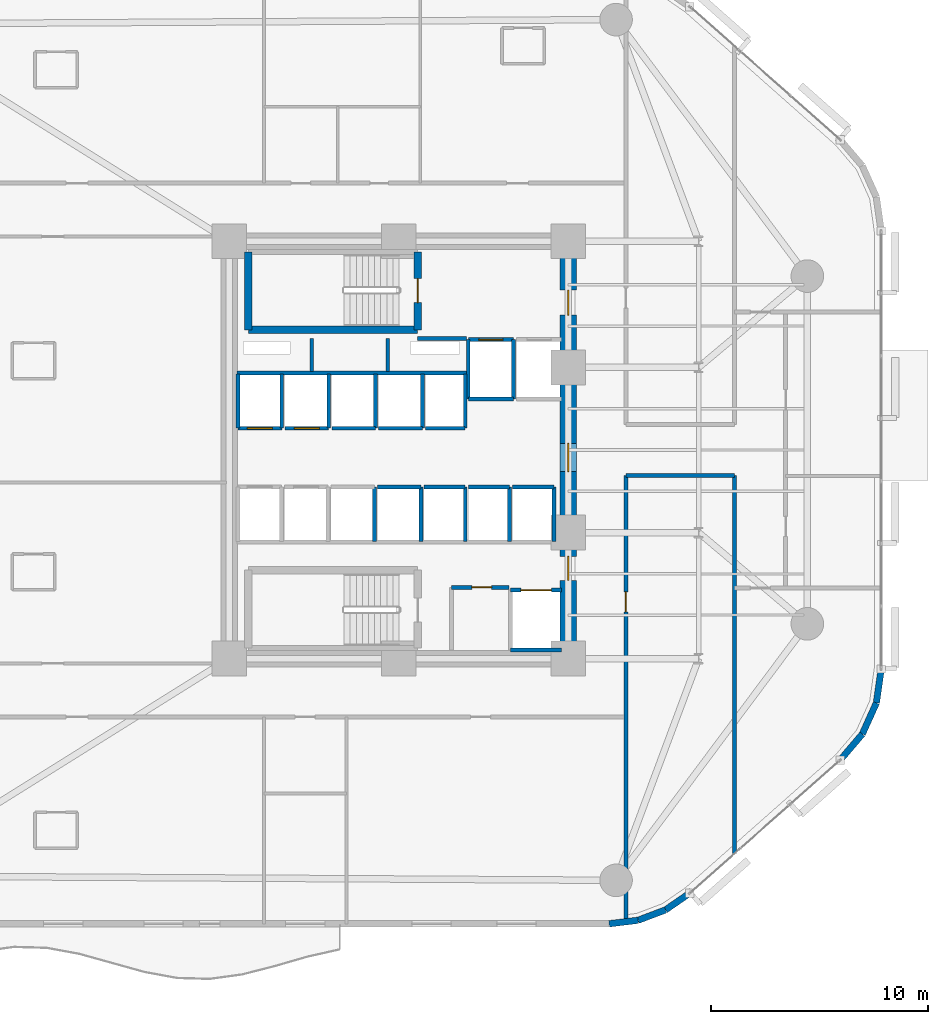
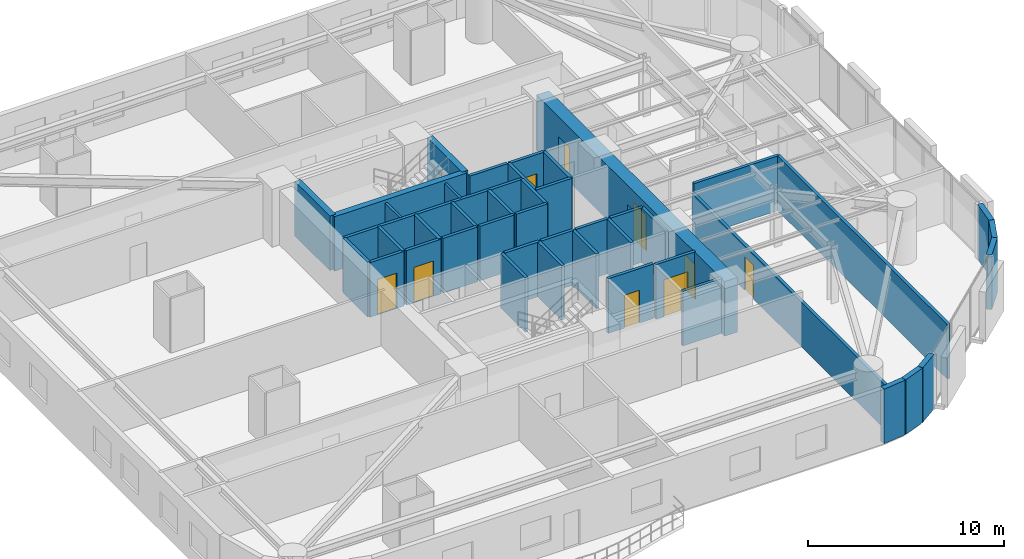
# One storey, part 11 of 16: 44 walls, 10 doors, 10 openings.
"""IFC4 building model written with IfcOpenShell, lengths in metres."""

from ifc_helpers import new_model, si_unit, direction, frame, frame_2d, origin, place, context, subcontext, project, spatial, rectangle, extrude, material, layer, layer_set, type_object, element, fill, save


model = new_model("IFC4")

# Units and contexts
model_context = context("Model", 3, precision=1e-05, world=origin(), true_north=direction((0.0, 1.0)))
body_context = subcontext(model_context, "Body", "Model", "MODEL_VIEW")
ifc_project = project(units=[si_unit("LENGTHUNIT", "METRE"), si_unit("AREAUNIT", "SQUARE_METRE"), si_unit("VOLUMEUNIT", "CUBIC_METRE"), si_unit("PLANEANGLEUNIT", "RADIAN"), si_unit("MASSUNIT", "GRAM", prefix="KILO")], contexts=[model_context])

# Site, building, storey
site_placement = place(None, origin())
site = spatial("IfcSite", under=ifc_project, at=site_placement, CompositionType="ELEMENT")
building_placement = place(site_placement, origin())
building = spatial("IfcBuilding", under=site, at=building_placement, Name="An Khanh Terracotta Commons", CompositionType="ELEMENT")
storey_placement = place(building_placement, frame((0.0, 0.0, 50.39990234375)))
storey = spatial("IfcBuildingStorey", under=building, at=storey_placement, Name="L13", CompositionType="ELEMENT", Elevation=50.39990234375)

# Wall, openings, doors
ifc_material_1 = material(Name="Concrete C70/85", Category="concrete")
ifc_layer_1 = layer(ifc_material_1, 0.75, Name="Concrete C70/85")
ifc_layer_set_1 = layer_set([ifc_layer_1], Name="Concrete C70/85")
wall_type_1 = type_object("IfcWallType", Name="WALL-CORE-750", PredefinedType="SHEAR", material=ifc_layer_set_1)
wall_1_placement = place(storey_placement, frame((37.199951171875, 14.39990234375, 0.0), z_axis=(0.0, 0.0, 1.0), x_axis=(0.0, 1.0, 0.0)))
wall_1 = element("IfcWall", 1, at=wall_1_placement, inside=storey, type_object=wall_type_1, Name="L13 Core Wall CWALL-L13-E", PredefinedType="SHEAR", context=body_context, shape_type="SweptSolid", body=[
    extrude(rectangle(XDim=19.2001953125, YDim=0.75, at=frame_2d((9.60009765625, 0.0))), origin(), (0.0, 0.0, 1.0), 3.400146484375),
])
opening_1_placement = place(wall_1_placement, frame((15.800048828125, 0.0, 0.0)))
opening_1 = element("IfcOpeningElement", 2, at=opening_1_placement, cuts=wall_1, Name="Opening D-FFL", PredefinedType="OPENING", context=body_context, shape_type="SweptSolid", body=[
    extrude(rectangle(XDim=1.14990234375, YDim=2.14990234375, at=frame_2d((0.574951171875, 1.074951171875))), frame((0.0, 0.385009765625, 0.0), z_axis=(0.0, -1.0, 0.0), x_axis=(1.0, 0.0, 0.0)), (0.0, 0.0, 1.0), 0.77001953125),
])
opening_2_placement = place(wall_1_placement, frame((3.60009765625, 0.0, 0.0)))
opening_2 = element("IfcOpeningElement", 3, at=opening_2_placement, cuts=wall_1, Name="Opening D-ST", PredefinedType="OPENING", context=body_context, shape_type="SweptSolid", body=[
    extrude(rectangle(XDim=1.10009765625, YDim=2.14990234375, at=frame_2d((0.550048828125, 1.074951171875))), frame((0.0, 0.385009765625, 0.0), z_axis=(0.0, -1.0, 0.0), x_axis=(1.0, 0.0, 0.0)), (0.0, 0.0, 1.0), 0.77001953125),
])
opening_3_placement = place(wall_1_placement, frame((8.60009765625, 0.0, 0.0)))
opening_3 = element("IfcOpeningElement", 4, at=opening_3_placement, cuts=wall_1, Name="Opening D-COR", PredefinedType="OPENING", context=body_context, shape_type="SweptSolid", body=[
    extrude(rectangle(XDim=1.300048828125, YDim=2.199951171875, at=frame_2d((0.64990234375, 1.10009765625))), frame((0.0, 0.385009765625, 0.0), z_axis=(0.0, -1.0, 0.0), x_axis=(1.0, 0.0, 0.0)), (0.0, 0.0, 1.0), 0.77001953125),
])
ifc_material_2 = material(Name="Fire-Rated Glazed Steel Double Door", Category="steel")
door_type_1 = type_object("IfcDoorType", Name="DOOR-CORR-1300", OperationType="NOTDEFINED", PredefinedType="DOOR", material=ifc_material_2)
door_1_placement = place(opening_3_placement, origin())
door_1 = element("IfcDoor", 5, at=door_1_placement, inside=storey, type_object=door_type_1, Name="L13 Passenger Lift Lobby Double Door", OperationType="DOUBLE_DOOR_SINGLE_SWING", OverallHeight=2.199951171875, OverallWidth=1.300048828125, PredefinedType="DOOR", context=body_context, shape_type="SweptSolid", body=[
    extrude(rectangle(XDim=1.300048828125, YDim=2.199951171875, at=frame_2d((0.64990234375, 1.10009765625))), frame((0.0, 0.02490234375, 0.0), z_axis=(0.0, -1.0, 0.0), x_axis=(1.0, 0.0, 0.0)), (0.0, 0.0, 1.0), 0.050048828125),
])
fill(opening_3, door_1)
ifc_material_3 = material(Name="Fire-Rated Steel Leaf and Vision Panel", Category="steel")
door_type_2 = type_object("IfcDoorType", Name="DOOR-FFL-1150", OperationType="NOTDEFINED", PredefinedType="DOOR", material=ifc_material_3)
door_2_placement = place(opening_1_placement, origin())
door_2 = element("IfcDoor", 6, at=door_2_placement, inside=storey, type_object=door_type_2, Name="L13 Firefighting Lift Lobby Fire Door", OperationType="SINGLE_SWING_LEFT", OverallHeight=2.14990234375, OverallWidth=1.14990234375, PredefinedType="DOOR", context=body_context, shape_type="SweptSolid", body=[
    extrude(rectangle(XDim=1.14990234375, YDim=2.14990234375, at=frame_2d((0.574951171875, 1.074951171875))), frame((0.0, 0.02490234375, 0.0), z_axis=(0.0, -1.0, 0.0), x_axis=(1.0, 0.0, 0.0)), (0.0, 0.0, 1.0), 0.050048828125),
])
fill(opening_1, door_2)
ifc_material_4 = material(Name="Fire-Rated Steel Leaf and Frame", Category="steel")
door_type_3 = type_object("IfcDoorType", Name="DOOR-STAIR-1100", OperationType="NOTDEFINED", PredefinedType="DOOR", material=ifc_material_4)
door_3_placement = place(opening_2_placement, origin())
door_3 = element("IfcDoor", 7, at=door_3_placement, inside=storey, type_object=door_type_3, Name="L13 South Stair Lobby Fire Door", OperationType="SINGLE_SWING_RIGHT", OverallHeight=2.14990234375, OverallWidth=1.10009765625, PredefinedType="DOOR", context=body_context, shape_type="SweptSolid", body=[
    extrude(rectangle(XDim=1.10009765625, YDim=2.14990234375, at=frame_2d((0.550048828125, 1.074951171875))), frame((0.0, 0.02490234375, 0.0), z_axis=(0.0, -1.0, 0.0), x_axis=(1.0, 0.0, 0.0)), (0.0, 0.0, 1.0), 0.050048828125),
])
fill(opening_2, door_3)

# Walls
ifc_material_5 = material(Name="Fire-Rated Gypsum Board on Steel Stud", Category="steel")
ifc_layer_2 = layer(ifc_material_5, 0.179931640625, Name="Fire-Rated Gypsum Board on Steel Stud")
ifc_layer_set_2 = layer_set([ifc_layer_2], Name="Fire-Rated Gypsum Board on Steel Stud")
wall_type_2 = type_object("IfcWallType", Name="WALL-CORR-180", PredefinedType="PARTITIONING", material=ifc_layer_set_2)
wall_2_placement = place(storey_placement, frame((30.27001953125, 29.1201171875, 0.0), z_axis=(0.0, 0.0, 1.0), x_axis=(1.0, 0.0, 0.0)))
element("IfcWall", 8, at=wall_2_placement, inside=storey, type_object=wall_type_2, Name="L13 Core Wall FFLW-L13-S", PredefinedType="PARTITIONING", context=body_context, shape_type="SweptSolid", body=[
    extrude(rectangle(XDim=2.239990234375, YDim=0.179931640625, at=frame_2d((1.1201171875, 0.0))), origin(), (0.0, 0.0, 1.0), 3.400146484375),
])
wall_3_placement = place(storey_placement, frame((21.949951171875, 27.5400390625, 0.0), z_axis=(0.0, 0.0, 1.0), x_axis=(1.0, 0.0, 0.0)))
element("IfcWall", 9, at=wall_3_placement, inside=storey, type_object=wall_type_2, Name="L13 Core Wall RSRW-L13-S", PredefinedType="PARTITIONING", context=body_context, shape_type="SweptSolid", body=[
    extrude(rectangle(XDim=10.56005859375, YDim=0.179931640625, at=frame_2d((5.280029296875, 0.0))), origin(), (0.0, 0.0, 1.0), 3.400146484375),
])

# Wall, opening, door
wall_4_placement = place(storey_placement, frame((31.820068359375, 17.679931640625, 0.0), z_axis=(0.0, 0.0, 1.0), x_axis=(1.0, 0.0, 0.0)))
wall_4 = element("IfcWall", 10, at=wall_4_placement, inside=storey, type_object=wall_type_2, Name="L13 Core Wall SSVCW-L13-N", PredefinedType="PARTITIONING", context=body_context, shape_type="SweptSolid", body=[
    extrude(rectangle(XDim=2.659912109375, YDim=0.179931640625, at=frame_2d((1.330078125, 0.0))), origin(), (0.0, 0.0, 1.0), 3.400146484375),
])
opening_4_placement = place(wall_4_placement, frame((0.949951171875, 0.0, 0.0)))
opening_4 = element("IfcOpeningElement", 11, at=opening_4_placement, cuts=wall_4, Name="Opening D-SV", PredefinedType="OPENING", context=body_context, shape_type="SweptSolid", body=[
    extrude(rectangle(XDim=0.89990234375, YDim=2.050048828125, at=frame_2d((0.449951171875, 1.02490234375))), frame((0.0, 0.099853515625, 0.0), z_axis=(0.0, -1.0, 0.0), x_axis=(1.0, 0.0, 0.0)), (0.0, 0.0, 1.0), 0.199951171875),
])
ifc_material_6 = material(Name="Fire-Rated Powder-Coated Steel Door", Category="steel")
door_type_4 = type_object("IfcDoorType", Name="DOOR-SERV-900", OperationType="NOTDEFINED", PredefinedType="DOOR", material=ifc_material_6)
door_4_placement = place(opening_4_placement, origin())
door_4 = element("IfcDoor", 12, at=door_4_placement, inside=storey, type_object=door_type_4, Name="L13 Core Housekeeping Store Door", OperationType="SINGLE_SWING_LEFT", OverallHeight=2.050048828125, OverallWidth=0.89990234375, PredefinedType="DOOR", context=body_context, shape_type="SweptSolid", body=[
    extrude(rectangle(XDim=0.89990234375, YDim=2.050048828125, at=frame_2d((0.449951171875, 1.02490234375))), frame((0.0, 0.02490234375, 0.0), z_axis=(0.0, -1.0, 0.0), x_axis=(1.0, 0.0, 0.0)), (0.0, 0.0, 1.0), 0.050048828125),
])
fill(opening_4, door_4)

wall_5_placement = place(storey_placement, frame((32.60009765625, 29.080078125, 0.0), z_axis=(0.0, 0.0, 1.0), x_axis=(1.0, 0.0, 0.0)))
wall_5 = element("IfcWall", 13, at=wall_5_placement, inside=storey, type_object=wall_type_2, Name="L13 Core Wall LSH-L13-FFL-01-N", PredefinedType="PARTITIONING", context=body_context, shape_type="SweptSolid", body=[
    extrude(rectangle(XDim=2.079833984375, YDim=0.179931640625, at=frame_2d((1.0400390625, 0.0))), origin(), (0.0, 0.0, 1.0), 3.400146484375),
])
opening_5_placement = place(wall_5_placement, frame((0.489990234375, 0.0, 0.0)))
opening_5 = element("IfcOpeningElement", 14, at=opening_5_placement, cuts=wall_5, Name="Opening LD-FFL-01-L13", PredefinedType="OPENING", context=body_context, shape_type="SweptSolid", body=[
    extrude(rectangle(XDim=1.10009765625, YDim=2.199951171875, at=frame_2d((0.550048828125, 1.10009765625))), frame((0.0, 0.099853515625, 0.0), z_axis=(0.0, -1.0, 0.0), x_axis=(1.0, 0.0, 0.0)), (0.0, 0.0, 1.0), 0.199951171875),
])
ifc_material_7 = material(Name="Brushed Stainless Steel Fire Landing Door", Category="steel")
door_type_5 = type_object("IfcDoorType", Name="DOOR-LD-FFL-1100", OperationType="NOTDEFINED", PredefinedType="DOOR", material=ifc_material_7)
door_5_placement = place(opening_5_placement, origin())
door_5 = element("IfcDoor", 15, at=door_5_placement, inside=storey, type_object=door_type_5, Name="L13 Lift FFL-01 Sliding Landing Door", OperationType="DOUBLE_DOOR_SLIDING", OverallHeight=2.199951171875, OverallWidth=1.10009765625, PredefinedType="DOOR", context=body_context, shape_type="SweptSolid", body=[
    extrude(rectangle(XDim=1.10009765625, YDim=2.199951171875, at=frame_2d((0.550048828125, 1.10009765625))), frame((0.0, 0.02490234375, 0.0), z_axis=(0.0, -1.0, 0.0), x_axis=(1.0, 0.0, 0.0)), (0.0, 0.0, 1.0), 0.050048828125),
])
fill(opening_5, door_5)

# Walls
wall_6_placement = place(storey_placement, frame((34.679931640625, 26.35009765625, 0.0), z_axis=(0.0, 0.0, 1.0), x_axis=(-1.0, 0.0, 0.0)))
element("IfcWall", 16, at=wall_6_placement, inside=storey, type_object=wall_type_2, Name="L13 Core Wall LSH-L13-FFL-01-S", PredefinedType="PARTITIONING", context=body_context, shape_type="SweptSolid", body=[
    extrude(rectangle(XDim=2.079833984375, YDim=0.179931640625, at=frame_2d((1.0400390625, 0.0))), origin(), (0.0, 0.0, 1.0), 3.400146484375),
])
for number, where, z_axis, x_axis, name in (
    (17, (34.679931640625, 26.35009765625, 0.0), (0.0, 0.0, 1.0), (0.0, 1.0, 0.0), "L13 Core Wall LSH-L13-FFL-01-E"),
    (18, (32.60009765625, 29.080078125, 0.0), (0.0, 0.0, 1.0), (0.0, -1.0, 0.0), "L13 Core Wall LSH-L13-FFL-01-W"),
):
    element("IfcWall", number, at=place(storey_placement, frame(where, z_axis=z_axis, x_axis=x_axis)), inside=storey, type_object=wall_type_2, Name=name, PredefinedType="PARTITIONING", context=body_context, shape_type="SweptSolid", body=[
        extrude(rectangle(XDim=2.72998046875, YDim=0.179931640625, at=frame_2d((1.364990234375, 0.0))), origin(), (0.0, 0.0, 1.0), 3.400146484375),
    ])

# Wall, opening, door
wall_7_placement = place(storey_placement, frame((34.550048828125, 17.550048828125, 0.0), z_axis=(0.0, 0.0, 1.0), x_axis=(1.0, 0.0, 0.0)))
wall_7 = element("IfcWall", 19, at=wall_7_placement, inside=storey, type_object=wall_type_2, Name="L13 Core Wall LSH-L13-SVL-01-N", PredefinedType="PARTITIONING", context=body_context, shape_type="SweptSolid", body=[
    extrude(rectangle(XDim=2.349853515625, YDim=0.179931640625, at=frame_2d((1.1748046875, 0.0))), origin(), (0.0, 0.0, 1.0), 3.400146484375),
])
opening_6_placement = place(wall_7_placement, frame((0.47509765625, 0.0, 0.0)))
opening_6 = element("IfcOpeningElement", 20, at=opening_6_placement, cuts=wall_7, Name="Opening LD-SVL-01-L13", PredefinedType="OPENING", context=body_context, shape_type="SweptSolid", body=[
    extrude(rectangle(XDim=1.39990234375, YDim=2.300048828125, at=frame_2d((0.699951171875, 1.14990234375))), frame((0.0, 0.099853515625, 0.0), z_axis=(0.0, -1.0, 0.0), x_axis=(1.0, 0.0, 0.0)), (0.0, 0.0, 1.0), 0.199951171875),
])
ifc_material_8 = material(Name="Heavy-Duty Stainless Steel Goods Landing Door", Category="steel")
door_type_6 = type_object("IfcDoorType", Name="DOOR-LD-SVL-1400", OperationType="NOTDEFINED", PredefinedType="DOOR", material=ifc_material_8)
door_6_placement = place(opening_6_placement, origin())
door_6 = element("IfcDoor", 21, at=door_6_placement, inside=storey, type_object=door_type_6, Name="L13 Lift SVL-01 Sliding Landing Door", OperationType="DOUBLE_DOOR_SLIDING", OverallHeight=2.300048828125, OverallWidth=1.39990234375, PredefinedType="DOOR", context=body_context, shape_type="SweptSolid", body=[
    extrude(rectangle(XDim=1.39990234375, YDim=2.300048828125, at=frame_2d((0.699951171875, 1.14990234375))), frame((0.0, 0.02490234375, 0.0), z_axis=(0.0, -1.0, 0.0), x_axis=(1.0, 0.0, 0.0)), (0.0, 0.0, 1.0), 0.050048828125),
])
fill(opening_6, door_6)

# Wall
wall_8_placement = place(storey_placement, frame((36.89990234375, 14.800048828125, 0.0), z_axis=(0.0, 0.0, 1.0), x_axis=(-1.0, 0.0, 0.0)))
element("IfcWall", 22, at=wall_8_placement, inside=storey, type_object=wall_type_2, Name="L13 Core Wall LSH-L13-SVL-01-S", PredefinedType="PARTITIONING", context=body_context, shape_type="SweptSolid", body=[
    extrude(rectangle(XDim=2.349853515625, YDim=0.179931640625, at=frame_2d((1.1748046875, 0.0))), origin(), (0.0, 0.0, 1.0), 3.400146484375),
])

# Wall, opening, door
wall_9_placement = place(storey_placement, frame((24.02001953125, 25.0, 0.0), z_axis=(0.0, 0.0, 1.0), x_axis=(-1.0, 0.0, 0.0)))
wall_9 = element("IfcWall", 23, at=wall_9_placement, inside=storey, type_object=wall_type_2, Name="L13 Core Wall LSH-L13-PL-L1-S", PredefinedType="PARTITIONING", context=body_context, shape_type="SweptSolid", body=[
    extrude(rectangle(XDim=2.02001953125, YDim=0.179931640625, at=frame_2d((1.010009765625, 0.0))), origin(), (0.0, 0.0, 1.0), 3.400146484375),
])
opening_7_placement = place(wall_9_placement, frame((0.43505859375, 0.0, 0.0)))
opening_7 = element("IfcOpeningElement", 24, at=opening_7_placement, cuts=wall_9, Name="Opening LD-PL-L1-L13", PredefinedType="OPENING", context=body_context, shape_type="SweptSolid", body=[
    extrude(rectangle(XDim=1.14990234375, YDim=2.199951171875, at=frame_2d((0.574951171875, 1.10009765625))), frame((0.0, 0.099853515625, 0.0), z_axis=(0.0, -1.0, 0.0), x_axis=(1.0, 0.0, 0.0)), (0.0, 0.0, 1.0), 0.199951171875),
])
ifc_material_9 = material(Name="Brushed Stainless Steel Passenger Landing Door", Category="steel")
door_type_7 = type_object("IfcDoorType", Name="DOOR-LD-PAX-1150", OperationType="NOTDEFINED", PredefinedType="DOOR", material=ifc_material_9)
door_7_placement = place(opening_7_placement, origin())
door_7 = element("IfcDoor", 25, at=door_7_placement, inside=storey, type_object=door_type_7, Name="L13 Lift PL-L1 Sliding Landing Door", OperationType="DOUBLE_DOOR_SLIDING", OverallHeight=2.199951171875, OverallWidth=1.14990234375, PredefinedType="DOOR", context=body_context, shape_type="SweptSolid", body=[
    extrude(rectangle(XDim=1.14990234375, YDim=2.199951171875, at=frame_2d((0.574951171875, 1.10009765625))), frame((0.0, 0.02490234375, 0.0), z_axis=(0.0, -1.0, 0.0), x_axis=(1.0, 0.0, 0.0)), (0.0, 0.0, 1.0), 0.050048828125),
])
fill(opening_7, door_7)

# Walls
for number, where, z_axis, x_axis, name in (
    (26, (24.02001953125, 25.0, 0.0), (0.0, 0.0, 1.0), (0.0, 1.0, 0.0), "L13 Core Wall LSH-L13-PL-L1-E"),
    (27, (22.0, 27.5, 0.0), (0.0, 0.0, 1.0), (0.0, -1.0, 0.0), "L13 Core Wall LSH-L13-PL-L1-W"),
):
    element("IfcWall", number, at=place(storey_placement, frame(where, z_axis=z_axis, x_axis=x_axis)), inside=storey, type_object=wall_type_2, Name=name, PredefinedType="PARTITIONING", context=body_context, shape_type="SweptSolid", body=[
        extrude(rectangle(XDim=2.5, YDim=0.179931640625, at=frame_2d((1.25, 0.0))), origin(), (0.0, 0.0, 1.0), 3.400146484375),
    ])

# Wall, opening, door
wall_10_placement = place(storey_placement, frame((26.179931640625, 25.0, 0.0), z_axis=(0.0, 0.0, 1.0), x_axis=(-1.0, 0.0, 0.0)))
wall_10 = element("IfcWall", 28, at=wall_10_placement, inside=storey, type_object=wall_type_2, Name="L13 Core Wall LSH-L13-PL-L2-S", PredefinedType="PARTITIONING", context=body_context, shape_type="SweptSolid", body=[
    extrude(rectangle(XDim=2.02001953125, YDim=0.179931640625, at=frame_2d((1.010009765625, 0.0))), origin(), (0.0, 0.0, 1.0), 3.400146484375),
])
opening_8_placement = place(wall_10_placement, frame((0.43505859375, 0.0, 0.0)))
opening_8 = element("IfcOpeningElement", 29, at=opening_8_placement, cuts=wall_10, Name="Opening LD-PL-L2-L13", PredefinedType="OPENING", context=body_context, shape_type="SweptSolid", body=[
    extrude(rectangle(XDim=1.14990234375, YDim=2.199951171875, at=frame_2d((0.574951171875, 1.10009765625))), frame((0.0, 0.099853515625, 0.0), z_axis=(0.0, -1.0, 0.0), x_axis=(1.0, 0.0, 0.0)), (0.0, 0.0, 1.0), 0.199951171875),
])
door_8_placement = place(opening_8_placement, origin())
door_8 = element("IfcDoor", 30, at=door_8_placement, inside=storey, type_object=door_type_7, Name="L13 Lift PL-L2 Sliding Landing Door", OperationType="DOUBLE_DOOR_SLIDING", OverallHeight=2.199951171875, OverallWidth=1.14990234375, PredefinedType="DOOR", context=body_context, shape_type="SweptSolid", body=[
    extrude(rectangle(XDim=1.14990234375, YDim=2.199951171875, at=frame_2d((0.574951171875, 1.10009765625))), frame((0.0, 0.02490234375, 0.0), z_axis=(0.0, -1.0, 0.0), x_axis=(1.0, 0.0, 0.0)), (0.0, 0.0, 1.0), 0.050048828125),
])
fill(opening_8, door_8)

# Walls
wall_11_placement = place(storey_placement, frame((26.179931640625, 25.0, 0.0), z_axis=(0.0, 0.0, 1.0), x_axis=(0.0, 1.0, 0.0)))
element("IfcWall", 31, at=wall_11_placement, inside=storey, type_object=wall_type_2, Name="L13 Core Wall LSH-L13-PL-L2-E", PredefinedType="PARTITIONING", context=body_context, shape_type="SweptSolid", body=[
    extrude(rectangle(XDim=2.5, YDim=0.179931640625, at=frame_2d((1.25, 0.0))), origin(), (0.0, 0.0, 1.0), 3.400146484375),
])
wall_12_placement = place(storey_placement, frame((28.340087890625, 25.0, 0.0), z_axis=(0.0, 0.0, 1.0), x_axis=(-1.0, 0.0, 0.0)))
element("IfcWall", 32, at=wall_12_placement, inside=storey, type_object=wall_type_2, Name="L13 Core Wall LSH-L13-PL-M1-S", PredefinedType="PARTITIONING", context=body_context, shape_type="SweptSolid", body=[
    extrude(rectangle(XDim=2.02001953125, YDim=0.179931640625, at=frame_2d((1.010009765625, 0.0))), origin(), (0.0, 0.0, 1.0), 3.400146484375),
])
wall_13_placement = place(storey_placement, frame((28.340087890625, 25.0, 0.0), z_axis=(0.0, 0.0, 1.0), x_axis=(0.0, 1.0, 0.0)))
element("IfcWall", 33, at=wall_13_placement, inside=storey, type_object=wall_type_2, Name="L13 Core Wall LSH-L13-PL-M1-E", PredefinedType="PARTITIONING", context=body_context, shape_type="SweptSolid", body=[
    extrude(rectangle(XDim=2.5, YDim=0.179931640625, at=frame_2d((1.25, 0.0))), origin(), (0.0, 0.0, 1.0), 3.400146484375),
])
wall_14_placement = place(storey_placement, frame((30.5, 25.0, 0.0), z_axis=(0.0, 0.0, 1.0), x_axis=(-1.0, 0.0, 0.0)))
element("IfcWall", 34, at=wall_14_placement, inside=storey, type_object=wall_type_2, Name="L13 Core Wall LSH-L13-PL-M2-S", PredefinedType="PARTITIONING", context=body_context, shape_type="SweptSolid", body=[
    extrude(rectangle(XDim=2.02001953125, YDim=0.179931640625, at=frame_2d((1.010009765625, 0.0))), origin(), (0.0, 0.0, 1.0), 3.400146484375),
])
for number, where, z_axis, x_axis, name in (
    (35, (30.5, 25.0, 0.0), (0.0, 0.0, 1.0), (0.0, 1.0, 0.0), "L13 Core Wall LSH-L13-PL-M2-E"),
    (36, (28.280029296875, 19.800048828125, 0.0), (0.0, 0.0, 1.0), (0.0, 1.0, 0.0), "L13 Core Wall LSH-L13-PL-M3-E"),
):
    element("IfcWall", number, at=place(storey_placement, frame(where, z_axis=z_axis, x_axis=x_axis)), inside=storey, type_object=wall_type_2, Name=name, PredefinedType="PARTITIONING", context=body_context, shape_type="SweptSolid", body=[
        extrude(rectangle(XDim=2.5, YDim=0.179931640625, at=frame_2d((1.25, 0.0))), origin(), (0.0, 0.0, 1.0), 3.400146484375),
    ])
wall_15_placement = place(storey_placement, frame((28.419921875, 22.300048828125, 0.0), z_axis=(0.0, 0.0, 1.0), x_axis=(1.0, 0.0, 0.0)))
element("IfcWall", 37, at=wall_15_placement, inside=storey, type_object=wall_type_2, Name="L13 Core Wall LSH-L13-PL-M4-N", PredefinedType="PARTITIONING", context=body_context, shape_type="SweptSolid", body=[
    extrude(rectangle(XDim=2.0, YDim=0.179931640625, at=frame_2d((1.0, 0.0))), origin(), (0.0, 0.0, 1.0), 3.400146484375),
])
wall_16_placement = place(storey_placement, frame((30.419921875, 19.800048828125, 0.0), z_axis=(0.0, 0.0, 1.0), x_axis=(0.0, 1.0, 0.0)))
element("IfcWall", 38, at=wall_16_placement, inside=storey, type_object=wall_type_2, Name="L13 Core Wall LSH-L13-PL-M4-E", PredefinedType="PARTITIONING", context=body_context, shape_type="SweptSolid", body=[
    extrude(rectangle(XDim=2.5, YDim=0.179931640625, at=frame_2d((1.25, 0.0))), origin(), (0.0, 0.0, 1.0), 3.400146484375),
])
wall_17_placement = place(storey_placement, frame((32.4599609375, 25.0, 0.0), z_axis=(0.0, 0.0, 1.0), x_axis=(-1.0, 0.0, 0.0)))
element("IfcWall", 39, at=wall_17_placement, inside=storey, type_object=wall_type_2, Name="L13 Core Wall LSH-L13-PL-H1-S", PredefinedType="PARTITIONING", context=body_context, shape_type="SweptSolid", body=[
    extrude(rectangle(XDim=1.820068359375, YDim=0.179931640625, at=frame_2d((0.91015625, 0.0))), origin(), (0.0, 0.0, 1.0), 3.400146484375),
])
wall_18_placement = place(storey_placement, frame((32.4599609375, 25.0, 0.0), z_axis=(0.0, 0.0, 1.0), x_axis=(0.0, 1.0, 0.0)))
element("IfcWall", 40, at=wall_18_placement, inside=storey, type_object=wall_type_2, Name="L13 Core Wall LSH-L13-PL-H1-E", PredefinedType="PARTITIONING", context=body_context, shape_type="SweptSolid", body=[
    extrude(rectangle(XDim=2.5, YDim=0.179931640625, at=frame_2d((1.25, 0.0))), origin(), (0.0, 0.0, 1.0), 3.400146484375),
])
wall_19_placement = place(storey_placement, frame((30.56005859375, 22.300048828125, 0.0), z_axis=(0.0, 0.0, 1.0), x_axis=(1.0, 0.0, 0.0)))
element("IfcWall", 41, at=wall_19_placement, inside=storey, type_object=wall_type_2, Name="L13 Core Wall LSH-L13-PL-H2-N", PredefinedType="PARTITIONING", context=body_context, shape_type="SweptSolid", body=[
    extrude(rectangle(XDim=1.89990234375, YDim=0.179931640625, at=frame_2d((0.949951171875, 0.0))), origin(), (0.0, 0.0, 1.0), 3.400146484375),
])
wall_20_placement = place(storey_placement, frame((32.4599609375, 19.800048828125, 0.0), z_axis=(0.0, 0.0, 1.0), x_axis=(0.0, 1.0, 0.0)))
element("IfcWall", 42, at=wall_20_placement, inside=storey, type_object=wall_type_2, Name="L13 Core Wall LSH-L13-PL-H2-E", PredefinedType="PARTITIONING", context=body_context, shape_type="SweptSolid", body=[
    extrude(rectangle(XDim=2.5, YDim=0.179931640625, at=frame_2d((1.25, 0.0))), origin(), (0.0, 0.0, 1.0), 3.400146484375),
])
wall_21_placement = place(storey_placement, frame((32.60009765625, 22.300048828125, 0.0), z_axis=(0.0, 0.0, 1.0), x_axis=(1.0, 0.0, 0.0)))
element("IfcWall", 43, at=wall_21_placement, inside=storey, type_object=wall_type_2, Name="L13 Core Wall LSH-L13-PL-H3-N", PredefinedType="PARTITIONING", context=body_context, shape_type="SweptSolid", body=[
    extrude(rectangle(XDim=1.89990234375, YDim=0.179931640625, at=frame_2d((0.949951171875, 0.0))), origin(), (0.0, 0.0, 1.0), 3.400146484375),
])
wall_22_placement = place(storey_placement, frame((34.5, 19.800048828125, 0.0), z_axis=(0.0, 0.0, 1.0), x_axis=(0.0, 1.0, 0.0)))
element("IfcWall", 44, at=wall_22_placement, inside=storey, type_object=wall_type_2, Name="L13 Core Wall LSH-L13-PL-H3-E", PredefinedType="PARTITIONING", context=body_context, shape_type="SweptSolid", body=[
    extrude(rectangle(XDim=2.5, YDim=0.179931640625, at=frame_2d((1.25, 0.0))), origin(), (0.0, 0.0, 1.0), 3.400146484375),
])
wall_23_placement = place(storey_placement, frame((34.639892578125, 22.300048828125, 0.0), z_axis=(0.0, 0.0, 1.0), x_axis=(1.0, 0.0, 0.0)))
element("IfcWall", 45, at=wall_23_placement, inside=storey, type_object=wall_type_2, Name="L13 Core Wall LSH-L13-PL-H4-N", PredefinedType="PARTITIONING", context=body_context, shape_type="SweptSolid", body=[
    extrude(rectangle(XDim=1.900146484375, YDim=0.179931640625, at=frame_2d((0.9501953125, 0.0))), origin(), (0.0, 0.0, 1.0), 3.400146484375),
])
wall_24_placement = place(storey_placement, frame((36.5400390625, 19.800048828125, 0.0), z_axis=(0.0, 0.0, 1.0), x_axis=(0.0, 1.0, 0.0)))
element("IfcWall", 46, at=wall_24_placement, inside=storey, type_object=wall_type_2, Name="L13 Core Wall LSH-L13-PL-H4-E", PredefinedType="PARTITIONING", context=body_context, shape_type="SweptSolid", body=[
    extrude(rectangle(XDim=2.5, YDim=0.179931640625, at=frame_2d((1.25, 0.0))), origin(), (0.0, 0.0, 1.0), 3.400146484375),
])
wall_25_placement = place(storey_placement, frame((39.85009765625, 22.820068359375, 0.0), z_axis=(0.0, 0.0, 1.0), x_axis=(1.0, 0.0, 0.0)))
element("IfcWall", 47, at=wall_25_placement, inside=storey, type_object=wall_type_2, Name="L13 Interior Partition IW-L13-E006", PredefinedType="PARTITIONING", context=body_context, shape_type="SweptSolid", body=[
    extrude(rectangle(XDim=5.0, YDim=0.179931640625, at=frame_2d((2.5, 0.0))), origin(), (0.0, 0.0, 1.0), 3.400146484375),
])

# Wall, opening, door
wall_26_placement = place(storey_placement, frame((39.85009765625, 2.29296875, 0.0), z_axis=(0.0, 0.0, 1.0), x_axis=(0.0, 1.0, 0.0)))
wall_26 = element("IfcWall", 48, at=wall_26_placement, inside=storey, type_object=wall_type_2, Name="L13 Interior Partition IW-L13-E020", PredefinedType="PARTITIONING", context=body_context, shape_type="SweptSolid", body=[
    extrude(rectangle(XDim=20.527099609375, YDim=0.179931640625, at=frame_2d((10.263671875, 0.0))), origin(), (0.0, 0.0, 1.0), 2.781982421875),
])
opening_9_placement = place(wall_26_placement, frame((14.257080078125, 0.0, 0.0)))
opening_9 = element("IfcOpeningElement", 49, at=opening_9_placement, cuts=wall_26, Name="Opening D-RM", PredefinedType="OPENING", context=body_context, shape_type="SweptSolid", body=[
    extrude(rectangle(XDim=0.919921875, YDim=2.10009765625, at=frame_2d((0.4599609375, 1.050048828125))), frame((0.0, 0.099853515625, 0.0), z_axis=(0.0, -1.0, 0.0), x_axis=(1.0, 0.0, 0.0)), (0.0, 0.0, 1.0), 0.199951171875),
])
ifc_material_10 = material(Name="Engineered Hardwood Timber Leaf", Category="wood")
door_type_8 = type_object("IfcDoorType", Name="DOOR-INT-920", OperationType="NOTDEFINED", PredefinedType="DOOR", material=ifc_material_10)
door_9_placement = place(opening_9_placement, origin())
door_9 = element("IfcDoor", 50, at=door_9_placement, inside=storey, type_object=door_type_8, Name="L13 SB1 Academic Seminar Room Door", OperationType="SINGLE_SWING_LEFT", OverallHeight=2.10009765625, OverallWidth=0.919921875, PredefinedType="DOOR", context=body_context, shape_type="SweptSolid", body=[
    extrude(rectangle(XDim=0.919921875, YDim=2.10009765625, at=frame_2d((0.4599609375, 1.050048828125))), frame((0.0, 0.02490234375, 0.0), z_axis=(0.0, -1.0, 0.0), x_axis=(1.0, 0.0, 0.0)), (0.0, 0.0, 1.0), 0.050048828125),
])
fill(opening_9, door_9)

# Walls
wall_27_placement = place(storey_placement, frame((44.85009765625, 5.428955078125, 0.0), z_axis=(0.0, 0.0, 1.0), x_axis=(0.0, 1.0, 0.0)))
element("IfcWall", 51, at=wall_27_placement, inside=storey, type_object=wall_type_2, Name="L13 Interior Partition IW-L13-E022", PredefinedType="PARTITIONING", context=body_context, shape_type="SweptSolid", body=[
    extrude(rectangle(XDim=17.39111328125, YDim=0.179931640625, at=frame_2d((8.695556640625, 0.0))), origin(), (0.0, 0.0, 1.0), 3.400146484375),
])
ifc_material_11 = material(Name="Precast concrete C40/50", Category="concrete")
ifc_layer_3 = layer(ifc_material_11, 0.300048828125, Name="Precast concrete C40/50")
ifc_layer_set_3 = layer_set([ifc_layer_3], Name="Precast concrete C40/50")
wall_type_3 = type_object("IfcWallType", Name="WALL-EXT-300", PredefinedType="SOLIDWALL", material=ifc_layer_set_3)
wall_28_placement = place(storey_placement, frame((39.0791015625, 2.199951171875, 0.0), z_axis=(0.0, 0.0, 1.0), x_axis=(0.992739027259, 0.120288086515, 0.0)))
element("IfcWall", 52, at=wall_28_placement, inside=storey, type_object=wall_type_3, Name="L13 Insulated Terracotta Exterior Wall 5", PredefinedType="SOLIDWALL", context=body_context, shape_type="SweptSolid", body=[
    extrude(rectangle(XDim=1.34765625, YDim=0.300048828125, at=frame_2d((0.673828125, 0.0))), origin(), (0.0, 0.0, 1.0), 3.400146484375),
])
wall_29_placement = place(storey_placement, frame((40.4169921875, 2.362060546875, 0.0), z_axis=(0.0, 0.0, 1.0), x_axis=(0.935156721165, 0.354234254216, 0.0)))
element("IfcWall", 53, at=wall_29_placement, inside=storey, type_object=wall_type_3, Name="L13 Insulated Terracotta Exterior Wall 6", PredefinedType="SOLIDWALL", context=body_context, shape_type="SweptSolid", body=[
    extrude(rectangle(XDim=1.349365234375, YDim=0.300048828125, at=frame_2d((0.6748046875, 0.0))), origin(), (0.0, 0.0, 1.0), 3.400146484375),
])
wall_30_placement = place(storey_placement, frame((41.678955078125, 2.840087890625, 0.0), z_axis=(0.0, 0.0, 1.0), x_axis=(0.823116500192, 0.567872544777, 0.0)))
element("IfcWall", 54, at=wall_30_placement, inside=storey, type_object=wall_type_3, Name="L13 Insulated Terracotta Exterior Wall 7", PredefinedType="SOLIDWALL", context=body_context, shape_type="SweptSolid", body=[
    extrude(rectangle(XDim=1.3486328125, YDim=0.300048828125, at=frame_2d((0.67431640625, 0.0))), origin(), (0.0, 0.0, 1.0), 3.400146484375),
])
wall_31_placement = place(storey_placement, frame((49.7099609375, 9.72802734375, 0.0), z_axis=(0.0, 0.0, 1.0), x_axis=(0.648389989909, 0.7613083613, 0.0)))
element("IfcWall", 55, at=wall_31_placement, inside=storey, type_object=wall_type_3, Name="L13 Insulated Terracotta Exterior Wall 9", PredefinedType="SOLIDWALL", context=body_context, shape_type="SweptSolid", body=[
    extrude(rectangle(XDim=1.576171875, YDim=0.300048828125, at=frame_2d((0.7880859375, 0.0))), origin(), (0.0, 0.0, 1.0), 3.400146484375),
])
wall_32_placement = place(storey_placement, frame((50.73193359375, 10.927978515625, 0.0), z_axis=(0.0, 0.0, 1.0), x_axis=(0.410996558744, 0.911636895206, 0.0)))
element("IfcWall", 56, at=wall_32_placement, inside=storey, type_object=wall_type_3, Name="L13 Insulated Terracotta Exterior Wall 10", PredefinedType="SOLIDWALL", context=body_context, shape_type="SweptSolid", body=[
    extrude(rectangle(XDim=1.57421875, YDim=0.300048828125, at=frame_2d((0.787109375, 0.0))), origin(), (0.0, 0.0, 1.0), 3.400146484375),
])
wall_33_placement = place(storey_placement, frame((51.37890625, 12.363037109375, 0.0), z_axis=(0.0, 0.0, 1.0), x_axis=(0.140380048512, 0.990097693149, 0.0)))
element("IfcWall", 57, at=wall_33_placement, inside=storey, type_object=wall_type_3, Name="L13 Insulated Terracotta Exterior Wall 11", PredefinedType="SOLIDWALL", context=body_context, shape_type="SweptSolid", body=[
    extrude(rectangle(XDim=1.57568359375, YDim=0.300048828125, at=frame_2d((0.787841796875, 0.0))), origin(), (0.0, 0.0, 1.0), 3.400146484375),
])
ifc_material_12 = material(Name="Acoustic Gypsum Board Partition")
ifc_layer_4 = layer(ifc_material_12, 0.14990234375, Name="Acoustic Gypsum Board Partition")
ifc_layer_set_4 = layer_set([ifc_layer_4], Name="Acoustic Gypsum Board Partition")
wall_type_4 = type_object("IfcWallType", Name="WALL-PART-150", PredefinedType="PARTITIONING", material=ifc_layer_set_4)
for number, where, z_axis, x_axis, name in (
    (58, (25.39990234375, 27.60009765625, 0.0), (0.0, 0.0, 1.0), (0.0, 1.0, 0.0), "L13 Core Wall RSRW-L13-D1"),
    (59, (28.89990234375, 27.60009765625, 0.0), (0.0, 0.0, 1.0), (0.0, 1.0, 0.0), "L13 Core Wall RSRW-L13-D2"),
):
    element("IfcWall", number, at=place(storey_placement, frame(where, z_axis=z_axis, x_axis=x_axis)), inside=storey, type_object=wall_type_4, Name=name, PredefinedType="PARTITIONING", context=body_context, shape_type="SweptSolid", body=[
        extrude(rectangle(XDim=1.52001953125, YDim=0.14990234375, at=frame_2d((0.760009765625, 0.0))), origin(), (0.0, 0.0, 1.0), 3.400146484375),
    ])
ifc_material_13 = material(Name="Concrete C50/60", Category="concrete")
ifc_layer_5 = layer(ifc_material_13, 0.35009765625, Name="Concrete C50/60")
ifc_layer_set_5 = layer_set([ifc_layer_5], Name="Concrete C50/60")
wall_type_5 = type_object("IfcWallType", Name="WALL-SHAFT-350", PredefinedType="SOLIDWALL", material=ifc_layer_set_5)
wall_34_placement = place(storey_placement, frame((22.47998046875, 29.530029296875, 0.0), z_axis=(0.0, 0.0, 1.0), x_axis=(1.0, 0.0, 0.0)))
element("IfcWall", 60, at=wall_34_placement, inside=storey, type_object=wall_type_5, Name="L13 Core Wall STW-L13-N-S", PredefinedType="SOLIDWALL", context=body_context, shape_type="SweptSolid", body=[
    extrude(rectangle(XDim=7.7900390625, YDim=0.35009765625, at=frame_2d((3.89501953125, 0.0))), origin(), (0.0, 0.0, 1.0), 3.400146484375),
])
wall_35_placement = place(storey_placement, frame((22.47998046875, 29.530029296875, 0.0), z_axis=(0.0, 0.0, 1.0), x_axis=(0.0, 1.0, 0.0)))
element("IfcWall", 61, at=wall_35_placement, inside=storey, type_object=wall_type_5, Name="L13 Core Wall STW-L13-N-W", PredefinedType="SOLIDWALL", context=body_context, shape_type="SweptSolid", body=[
    extrude(rectangle(XDim=3.580078125, YDim=0.35009765625, at=frame_2d((1.7900390625, 0.0))), origin(), (0.0, 0.0, 1.0), 3.400146484375),
])

# Wall, opening, door
wall_36_placement = place(storey_placement, frame((30.27001953125, 29.530029296875, 0.0), z_axis=(0.0, 0.0, 1.0), x_axis=(0.0, 1.0, 0.0)))
wall_36 = element("IfcWall", 62, at=wall_36_placement, inside=storey, type_object=wall_type_5, Name="L13 Core Wall STW-L13-N-E", PredefinedType="SOLIDWALL", context=body_context, shape_type="SweptSolid", body=[
    extrude(rectangle(XDim=3.580078125, YDim=0.35009765625, at=frame_2d((1.7900390625, 0.0))), origin(), (0.0, 0.0, 1.0), 3.400146484375),
])
opening_10_placement = place(wall_36_placement, frame((1.25, 0.0, 0.0)))
opening_10 = element("IfcOpeningElement", 63, at=opening_10_placement, cuts=wall_36, Name="Opening D-ST", PredefinedType="OPENING", context=body_context, shape_type="SweptSolid", body=[
    extrude(rectangle(XDim=1.10009765625, YDim=2.14990234375, at=frame_2d((0.550048828125, 1.074951171875))), frame((0.0, 0.18505859375, 0.0), z_axis=(0.0, -1.0, 0.0), x_axis=(1.0, 0.0, 0.0)), (0.0, 0.0, 1.0), 0.3701171875),
])
door_10_placement = place(opening_10_placement, origin())
door_10 = element("IfcDoor", 64, at=door_10_placement, inside=storey, type_object=door_type_3, Name="L13 Stair ST-01 Fire Door", OperationType="SINGLE_SWING_LEFT", OverallHeight=2.14990234375, OverallWidth=1.10009765625, PredefinedType="DOOR", context=body_context, shape_type="SweptSolid", body=[
    extrude(rectangle(XDim=1.10009765625, YDim=2.14990234375, at=frame_2d((0.550048828125, 1.074951171875))), frame((0.0, 0.02490234375, 0.0), z_axis=(0.0, -1.0, 0.0), x_axis=(1.0, 0.0, 0.0)), (0.0, 0.0, 1.0), 0.050048828125),
])
fill(opening_10, door_10)

save(model, "model.ifc")
